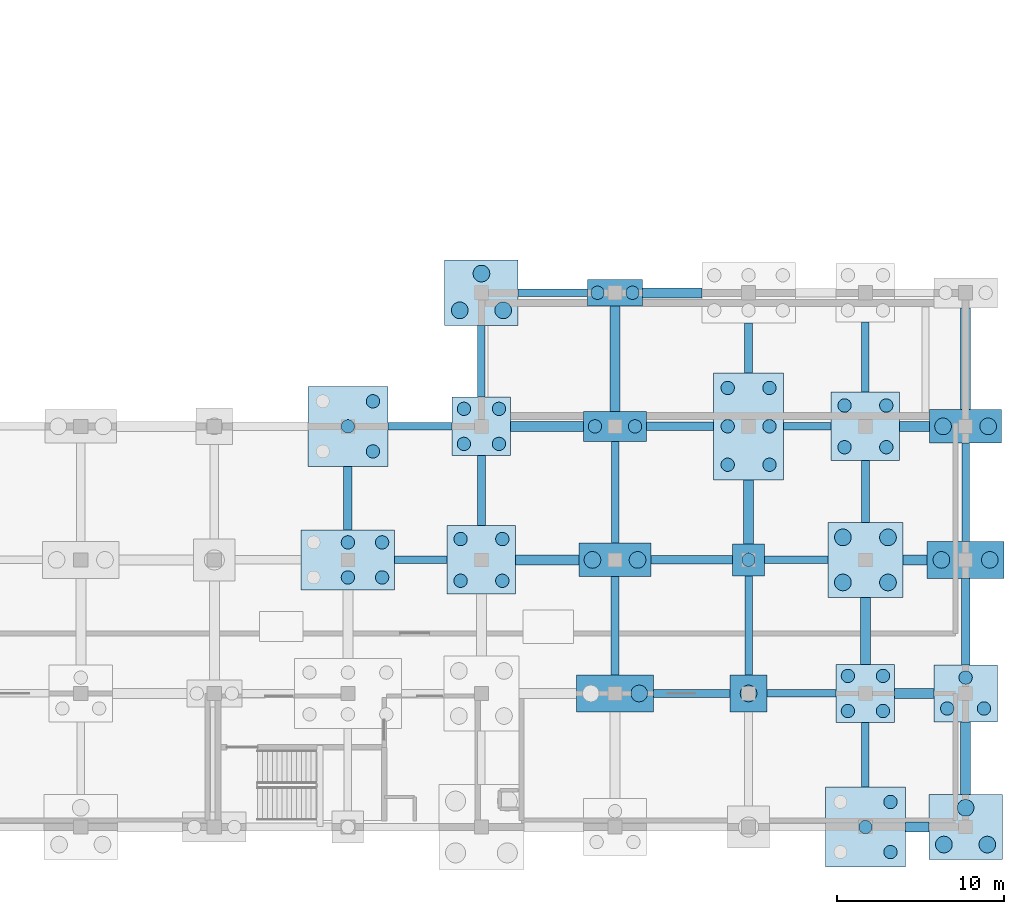
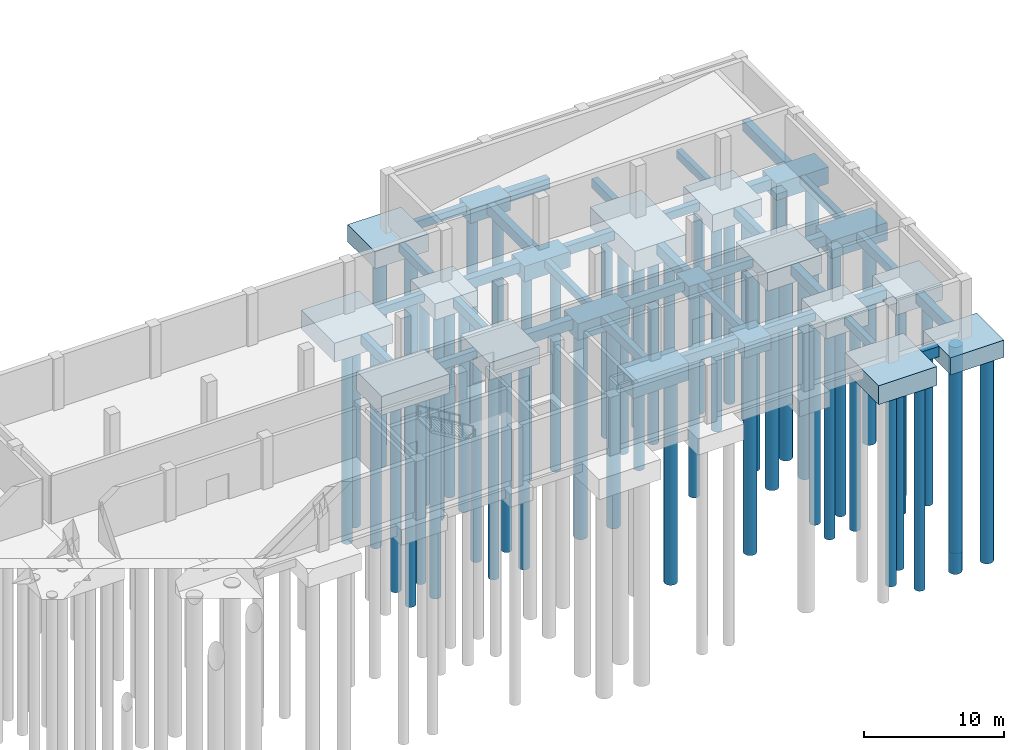
# One storey, part 9 of 26: 58 piles, 53 footings.
"""IFC4 building model written with IfcOpenShell, lengths in metres."""

from ifc_helpers import new_model, si_unit, direction, frame, origin, origin_2d, place, context, subcontext, project, spatial, rectangle, circle, extrude, material, layer, layer_set, material_profile, profile_set, type_object, element, save


model = new_model("IFC4")

# Units and contexts
model_context = context("Model", 3, precision=1e-05, world=origin(), true_north=direction((0.0, 1.0)))
body_context = subcontext(model_context, "Body", "Model", "MODEL_VIEW")
ifc_project = project(units=[si_unit("LENGTHUNIT", "METRE"), si_unit("AREAUNIT", "SQUARE_METRE"), si_unit("VOLUMEUNIT", "CUBIC_METRE"), si_unit("PLANEANGLEUNIT", "RADIAN"), si_unit("MASSUNIT", "GRAM", prefix="KILO")], contexts=[model_context])

# Site, building, storey
site_placement = place(None, origin())
site = spatial("IfcSite", under=ifc_project, at=site_placement, CompositionType="ELEMENT")
building_placement = place(site_placement, origin())
building = spatial("IfcBuilding", under=site, at=building_placement, Name="Qorikala Patio Media Centre", CompositionType="ELEMENT")
storey_placement = place(building_placement, frame((0.0, 0.0, -4.5)))
storey = spatial("IfcBuildingStorey", under=building, at=storey_placement, Name="B1", CompositionType="ELEMENT", Elevation=-4.5)

# Footings
ifc_material = material(Name="Concrete C30/37", Category="concrete")
ifc_material_profile_1 = material_profile(ifc_material, rectangle(XDim=0.449951171875, YDim=0.699951171875, at=origin_2d()), Name="RC 450x700")
ifc_profile_set_1 = profile_set([ifc_material_profile_1], Name="Concrete C30/37")
footing_type_1 = type_object("IfcFootingType", Name="GB-450X700", PredefinedType="FOOTING_BEAM", material=ifc_profile_set_1)
footing_1_placement = place(storey_placement, frame((155.10009765625, 11.0, -0.949951171875), z_axis=(1.0, 0.0, 0.0), x_axis=(0.0, 1.0, 0.0)))
element("IfcFooting", 1, at=footing_1_placement, inside=storey, type_object=footing_type_1, Name="Ground Tie Beam X-041", PredefinedType="FOOTING_BEAM", context=body_context, shape_type="SweptSolid", body=[
    extrude(rectangle(XDim=0.449951171875, YDim=0.699951171875, at=origin_2d()), origin(), (0.0, 0.0, 1.0), 4.14990234375),
])
footing_2_placement = place(storey_placement, frame((132.800048828125, 19.0, -0.949951171875), z_axis=(1.0, 0.0, 0.0), x_axis=(0.0, 1.0, 0.0)))
element("IfcFooting", 2, at=footing_2_placement, inside=storey, type_object=footing_type_1, Name="Ground Tie Beam X-059", PredefinedType="FOOTING_BEAM", context=body_context, shape_type="SweptSolid", body=[
    extrude(rectangle(XDim=0.449951171875, YDim=0.699951171875, at=origin_2d()), origin(), (0.0, 0.0, 1.0), 3.14990234375),
])
footing_3_placement = place(storey_placement, frame((154.949951171875, 19.0, -0.949951171875), z_axis=(1.0, 0.0, 0.0), x_axis=(0.0, 1.0, 0.0)))
element("IfcFooting", 3, at=footing_3_placement, inside=storey, type_object=footing_type_1, Name="Ground Tie Beam X-062", PredefinedType="FOOTING_BEAM", context=body_context, shape_type="SweptSolid", body=[
    extrude(rectangle(XDim=0.449951171875, YDim=0.699951171875, at=origin_2d()), origin(), (0.0, 0.0, 1.0), 3.800048828125),
])
footing_4_placement = place(storey_placement, frame((132.39990234375, 27.0, -0.949951171875), z_axis=(1.0, 0.0, 0.0), x_axis=(0.0, 1.0, 0.0)))
element("IfcFooting", 4, at=footing_4_placement, inside=storey, type_object=footing_type_1, Name="Ground Tie Beam X-080", PredefinedType="FOOTING_BEAM", context=body_context, shape_type="SweptSolid", body=[
    extrude(rectangle(XDim=0.449951171875, YDim=0.699951171875, at=origin_2d()), origin(), (0.0, 0.0, 1.0), 3.85009765625),
])
footing_5_placement = place(storey_placement, frame((156.10009765625, 27.0, -0.949951171875), z_axis=(1.0, 0.0, 0.0), x_axis=(0.0, 1.0, 0.0)))
element("IfcFooting", 5, at=footing_5_placement, inside=storey, type_object=footing_type_1, Name="Ground Tie Beam X-083", PredefinedType="FOOTING_BEAM", context=body_context, shape_type="SweptSolid", body=[
    extrude(rectangle(XDim=0.449951171875, YDim=0.699951171875, at=origin_2d()), origin(), (0.0, 0.0, 1.0), 2.849853515625),
])
footing_6_placement = place(storey_placement, frame((140.199951171875, 35.0, -0.949951171875), z_axis=(1.0, 0.0, 0.0), x_axis=(0.0, 1.0, 0.0)))
element("IfcFooting", 6, at=footing_6_placement, inside=storey, type_object=footing_type_1, Name="Ground Tie Beam X-092", PredefinedType="FOOTING_BEAM", context=body_context, shape_type="SweptSolid", body=[
    extrude(rectangle(XDim=0.449951171875, YDim=0.699951171875, at=origin_2d()), origin(), (0.0, 0.0, 1.0), 4.150146484375),
])
footing_7_placement = place(storey_placement, frame((138.0, 28.75, -0.949951171875), z_axis=(0.0, 1.0, 0.0), x_axis=(-1.0, 0.0, 0.0)))
element("IfcFooting", 7, at=footing_7_placement, inside=storey, type_object=footing_type_1, Name="Ground Tie Beam Y-314", PredefinedType="FOOTING_BEAM", context=body_context, shape_type="SweptSolid", body=[
    extrude(rectangle(XDim=0.449951171875, YDim=0.699951171875, at=origin_2d()), origin(), (0.0, 0.0, 1.0), 4.300048828125),
])
footing_8_placement = place(storey_placement, frame((146.0, 20.0, -0.949951171875), z_axis=(0.0, 1.0, 0.0), x_axis=(-1.0, 0.0, 0.0)))
element("IfcFooting", 8, at=footing_8_placement, inside=storey, type_object=footing_type_1, Name="Ground Tie Beam Y-317", PredefinedType="FOOTING_BEAM", context=body_context, shape_type="SweptSolid", body=[
    extrude(rectangle(XDim=0.449951171875, YDim=0.699951171875, at=origin_2d()), origin(), (0.0, 0.0, 1.0), 6.10009765625),
])
footing_9_placement = place(storey_placement, frame((154.0, 12.10009765625, -0.949951171875), z_axis=(0.0, 1.0, 0.0), x_axis=(-1.0, 0.0, 0.0)))
element("IfcFooting", 9, at=footing_9_placement, inside=storey, type_object=footing_type_1, Name="Ground Tie Beam Y-320", PredefinedType="FOOTING_BEAM", context=body_context, shape_type="SweptSolid", body=[
    extrude(rectangle(XDim=0.449951171875, YDim=0.699951171875, at=origin_2d()), origin(), (0.0, 0.0, 1.0), 5.949951171875),
])
footing_10_placement = place(storey_placement, frame((161.0, 5.39990234375, -0.949951171875), z_axis=(0.0, 1.0, 0.0), x_axis=(-1.0, 0.0, 0.0)))
element("IfcFooting", 10, at=footing_10_placement, inside=storey, type_object=footing_type_1, Name="Ground Tie Beam Y-323", PredefinedType="FOOTING_BEAM", context=body_context, shape_type="SweptSolid", body=[
    extrude(rectangle(XDim=0.449951171875, YDim=0.699951171875, at=origin_2d()), origin(), (0.0, 0.0, 1.0), 3.85009765625),
])
footing_11_placement = place(storey_placement, frame((161.0, 29.050048828125, -0.949951171875), z_axis=(0.0, 1.0, 0.0), x_axis=(-1.0, 0.0, 0.0)))
element("IfcFooting", 11, at=footing_11_placement, inside=storey, type_object=footing_type_1, Name="Ground Tie Beam Y-326", PredefinedType="FOOTING_BEAM", context=body_context, shape_type="SweptSolid", body=[
    extrude(rectangle(XDim=0.449951171875, YDim=0.699951171875, at=origin_2d()), origin(), (0.0, 0.0, 1.0), 4.199951171875),
])
footing_12_placement = place(storey_placement, frame((167.0, 20.10009765625, -0.949951171875), z_axis=(0.0, 1.0, 0.0), x_axis=(-1.0, 0.0, 0.0)))
element("IfcFooting", 12, at=footing_12_placement, inside=storey, type_object=footing_type_1, Name="Ground Tie Beam Y-329", PredefinedType="FOOTING_BEAM", context=body_context, shape_type="SweptSolid", body=[
    extrude(rectangle(XDim=0.449951171875, YDim=0.699951171875, at=origin_2d()), origin(), (0.0, 0.0, 1.0), 5.89990234375),
])
ifc_material_profile_2 = material_profile(ifc_material, rectangle(XDim=0.5, YDim=0.800048828125, at=origin_2d()), Name="RC 500x800")
ifc_profile_set_2 = profile_set([ifc_material_profile_2], Name="Concrete C30/37")
footing_type_2 = type_object("IfcFootingType", Name="GB-500X800", PredefinedType="FOOTING_BEAM", material=ifc_profile_set_2)
footing_13_placement = place(storey_placement, frame((148.300048828125, 11.0, -1.0), z_axis=(1.0, 0.0, 0.0), x_axis=(0.0, 1.0, 0.0)))
element("IfcFooting", 13, at=footing_13_placement, inside=storey, type_object=footing_type_2, Name="Ground Tie Beam X-040", PredefinedType="FOOTING_BEAM", context=body_context, shape_type="SweptSolid", body=[
    extrude(rectangle(XDim=0.5, YDim=0.800048828125, at=origin_2d()), origin(), (0.0, 0.0, 1.0), 4.599853515625),
])
footing_14_placement = place(storey_placement, frame((148.14990234375, 19.0, -1.0), z_axis=(1.0, 0.0, 0.0), x_axis=(0.0, 1.0, 0.0)))
element("IfcFooting", 14, at=footing_14_placement, inside=storey, type_object=footing_type_2, Name="Ground Tie Beam X-061", PredefinedType="FOOTING_BEAM", context=body_context, shape_type="SweptSolid", body=[
    extrude(rectangle(XDim=0.5, YDim=0.800048828125, at=origin_2d()), origin(), (0.0, 0.0, 1.0), 4.900146484375),
])
footing_15_placement = place(storey_placement, frame((147.89990234375, 27.0, -1.0), z_axis=(1.0, 0.0, 0.0), x_axis=(0.0, 1.0, 0.0)))
element("IfcFooting", 15, at=footing_15_placement, inside=storey, type_object=footing_type_2, Name="Ground Tie Beam X-082", PredefinedType="FOOTING_BEAM", context=body_context, shape_type="SweptSolid", body=[
    extrude(rectangle(XDim=0.5, YDim=0.800048828125, at=origin_2d()), origin(), (0.0, 0.0, 1.0), 4.0),
])
footing_16_placement = place(storey_placement, frame((130.0, 20.800048828125, -1.0), z_axis=(0.0, 1.0, 0.0), x_axis=(-1.0, 0.0, 0.0)))
element("IfcFooting", 16, at=footing_16_placement, inside=storey, type_object=footing_type_2, Name="Ground Tie Beam Y-310", PredefinedType="FOOTING_BEAM", context=body_context, shape_type="SweptSolid", body=[
    extrude(rectangle(XDim=0.5, YDim=0.800048828125, at=origin_2d()), origin(), (0.0, 0.0, 1.0), 3.800048828125),
])
footing_17_placement = place(storey_placement, frame((138.0, 21.050048828125, -1.0), z_axis=(0.0, 1.0, 0.0), x_axis=(-1.0, 0.0, 0.0)))
element("IfcFooting", 17, at=footing_17_placement, inside=storey, type_object=footing_type_2, Name="Ground Tie Beam Y-313", PredefinedType="FOOTING_BEAM", context=body_context, shape_type="SweptSolid", body=[
    extrude(rectangle(XDim=0.5, YDim=0.800048828125, at=origin_2d()), origin(), (0.0, 0.0, 1.0), 4.199951171875),
])
footing_18_placement = place(storey_placement, frame((146.0, 12.10009765625, -1.0), z_axis=(0.0, 1.0, 0.0), x_axis=(-1.0, 0.0, 0.0)))
element("IfcFooting", 18, at=footing_18_placement, inside=storey, type_object=footing_type_2, Name="Ground Tie Beam Y-316", PredefinedType="FOOTING_BEAM", context=body_context, shape_type="SweptSolid", body=[
    extrude(rectangle(XDim=0.5, YDim=0.800048828125, at=origin_2d()), origin(), (0.0, 0.0, 1.0), 5.89990234375),
])
footing_19_placement = place(storey_placement, frame((154.0, 30.199951171875, -1.0), z_axis=(0.0, 1.0, 0.0), x_axis=(-1.0, 0.0, 0.0)))
element("IfcFooting", 19, at=footing_19_placement, inside=storey, type_object=footing_type_2, Name="Ground Tie Beam Y-322", PredefinedType="FOOTING_BEAM", context=body_context, shape_type="SweptSolid", body=[
    extrude(rectangle(XDim=0.5, YDim=0.800048828125, at=origin_2d()), origin(), (0.0, 0.0, 1.0), 3.0),
])
footing_20_placement = place(storey_placement, frame((161.0, 21.25, -1.0), z_axis=(0.0, 1.0, 0.0), x_axis=(-1.0, 0.0, 0.0)))
element("IfcFooting", 20, at=footing_20_placement, inside=storey, type_object=footing_type_2, Name="Ground Tie Beam Y-325", PredefinedType="FOOTING_BEAM", context=body_context, shape_type="SweptSolid", body=[
    extrude(rectangle(XDim=0.5, YDim=0.800048828125, at=origin_2d()), origin(), (0.0, 0.0, 1.0), 3.699951171875),
])
footing_21_placement = place(storey_placement, frame((167.0, 12.699951171875, -1.0), z_axis=(0.0, 1.0, 0.0), x_axis=(-1.0, 0.0, 0.0)))
element("IfcFooting", 21, at=footing_21_placement, inside=storey, type_object=footing_type_2, Name="Ground Tie Beam Y-328", PredefinedType="FOOTING_BEAM", context=body_context, shape_type="SweptSolid", body=[
    extrude(rectangle(XDim=0.5, YDim=0.800048828125, at=origin_2d()), origin(), (0.0, 0.0, 1.0), 5.199951171875),
])
ifc_material_profile_3 = material_profile(ifc_material, rectangle(XDim=0.60009765625, YDim=0.89990234375, at=origin_2d()), Name="RC 600x900")
ifc_profile_set_3 = profile_set([ifc_material_profile_3], Name="Concrete C30/37")
footing_type_3 = type_object("IfcFootingType", Name="GB-600X900", PredefinedType="FOOTING_BEAM", material=ifc_profile_set_3)
footing_22_placement = place(storey_placement, frame((163.39990234375, 3.0, -1.050048828125), z_axis=(1.0, 0.0, 0.0), x_axis=(0.0, 1.0, 0.0)))
element("IfcFooting", 22, at=footing_22_placement, inside=storey, type_object=footing_type_3, Name="Ground Tie Beam X-021", PredefinedType="FOOTING_BEAM", context=body_context, shape_type="SweptSolid", body=[
    extrude(rectangle(XDim=0.60009765625, YDim=0.89990234375, at=origin_2d()), origin(), (0.0, 0.0, 1.0), 1.400146484375),
])
footing_23_placement = place(storey_placement, frame((162.75, 11.0, -1.050048828125), z_axis=(1.0, 0.0, 0.0), x_axis=(0.0, 1.0, 0.0)))
element("IfcFooting", 23, at=footing_23_placement, inside=storey, type_object=footing_type_3, Name="Ground Tie Beam X-042", PredefinedType="FOOTING_BEAM", context=body_context, shape_type="SweptSolid", body=[
    extrude(rectangle(XDim=0.60009765625, YDim=0.89990234375, at=origin_2d()), origin(), (0.0, 0.0, 1.0), 2.35009765625),
])
footing_24_placement = place(storey_placement, frame((140.050048828125, 19.0, -1.050048828125), z_axis=(1.0, 0.0, 0.0), x_axis=(0.0, 1.0, 0.0)))
element("IfcFooting", 24, at=footing_24_placement, inside=storey, type_object=footing_type_3, Name="Ground Tie Beam X-060", PredefinedType="FOOTING_BEAM", context=body_context, shape_type="SweptSolid", body=[
    extrude(rectangle(XDim=0.60009765625, YDim=0.89990234375, at=origin_2d()), origin(), (0.0, 0.0, 1.0), 3.800048828125),
])
footing_25_placement = place(storey_placement, frame((163.25, 19.0, -1.050048828125), z_axis=(1.0, 0.0, 0.0), x_axis=(0.0, 1.0, 0.0)))
element("IfcFooting", 25, at=footing_25_placement, inside=storey, type_object=footing_type_3, Name="Ground Tie Beam X-063", PredefinedType="FOOTING_BEAM", context=body_context, shape_type="SweptSolid", body=[
    extrude(rectangle(XDim=0.60009765625, YDim=0.89990234375, at=origin_2d()), origin(), (0.0, 0.0, 1.0), 1.449951171875),
])
footing_26_placement = place(storey_placement, frame((139.75, 27.0, -1.050048828125), z_axis=(1.0, 0.0, 0.0), x_axis=(0.0, 1.0, 0.0)))
element("IfcFooting", 26, at=footing_26_placement, inside=storey, type_object=footing_type_3, Name="Ground Tie Beam X-081", PredefinedType="FOOTING_BEAM", context=body_context, shape_type="SweptSolid", body=[
    extrude(rectangle(XDim=0.60009765625, YDim=0.89990234375, at=origin_2d()), origin(), (0.0, 0.0, 1.0), 4.35009765625),
])
footing_27_placement = place(storey_placement, frame((163.050048828125, 27.0, -1.050048828125), z_axis=(1.0, 0.0, 0.0), x_axis=(0.0, 1.0, 0.0)))
element("IfcFooting", 27, at=footing_27_placement, inside=storey, type_object=footing_type_3, Name="Ground Tie Beam X-084", PredefinedType="FOOTING_BEAM", context=body_context, shape_type="SweptSolid", body=[
    extrude(rectangle(XDim=0.60009765625, YDim=0.89990234375, at=origin_2d()), origin(), (0.0, 0.0, 1.0), 1.800048828125),
])
footing_28_placement = place(storey_placement, frame((147.64990234375, 35.0, -1.050048828125), z_axis=(1.0, 0.0, 0.0), x_axis=(0.0, 1.0, 0.0)))
element("IfcFooting", 28, at=footing_28_placement, inside=storey, type_object=footing_type_3, Name="Ground Tie Beam X-093", PredefinedType="FOOTING_BEAM", context=body_context, shape_type="SweptSolid", body=[
    extrude(rectangle(XDim=0.60009765625, YDim=0.89990234375, at=origin_2d()), origin(), (0.0, 0.0, 1.0), 3.550048828125),
])
footing_29_placement = place(storey_placement, frame((146.0, 27.89990234375, -1.050048828125), z_axis=(0.0, 1.0, 0.0), x_axis=(-1.0, 0.0, 0.0)))
element("IfcFooting", 29, at=footing_29_placement, inside=storey, type_object=footing_type_3, Name="Ground Tie Beam Y-318", PredefinedType="FOOTING_BEAM", context=body_context, shape_type="SweptSolid", body=[
    extrude(rectangle(XDim=0.60009765625, YDim=0.89990234375, at=origin_2d()), origin(), (0.0, 0.0, 1.0), 6.300048828125),
])
footing_30_placement = place(storey_placement, frame((154.0, 19.949951171875, -1.050048828125), z_axis=(0.0, 1.0, 0.0), x_axis=(-1.0, 0.0, 0.0)))
element("IfcFooting", 30, at=footing_30_placement, inside=storey, type_object=footing_type_3, Name="Ground Tie Beam Y-321", PredefinedType="FOOTING_BEAM", context=body_context, shape_type="SweptSolid", body=[
    extrude(rectangle(XDim=0.60009765625, YDim=0.89990234375, at=origin_2d()), origin(), (0.0, 0.0, 1.0), 3.85009765625),
])
footing_31_placement = place(storey_placement, frame((161.0, 12.75, -1.050048828125), z_axis=(0.0, 1.0, 0.0), x_axis=(-1.0, 0.0, 0.0)))
element("IfcFooting", 31, at=footing_31_placement, inside=storey, type_object=footing_type_3, Name="Ground Tie Beam Y-324", PredefinedType="FOOTING_BEAM", context=body_context, shape_type="SweptSolid", body=[
    extrude(rectangle(XDim=0.60009765625, YDim=0.89990234375, at=origin_2d()), origin(), (0.0, 0.0, 1.0), 4.0),
])
footing_32_placement = place(storey_placement, frame((167.0, 4.949951171875, -1.050048828125), z_axis=(0.0, 1.0, 0.0), x_axis=(-1.0, 0.0, 0.0)))
element("IfcFooting", 32, at=footing_32_placement, inside=storey, type_object=footing_type_3, Name="Ground Tie Beam Y-327", PredefinedType="FOOTING_BEAM", context=body_context, shape_type="SweptSolid", body=[
    extrude(rectangle(XDim=0.60009765625, YDim=0.89990234375, at=origin_2d()), origin(), (0.0, 0.0, 1.0), 4.35009765625),
])
footing_33_placement = place(storey_placement, frame((167.0, 28.0, -1.050048828125), z_axis=(0.0, 1.0, 0.0), x_axis=(-1.0, 0.0, 0.0)))
element("IfcFooting", 33, at=footing_33_placement, inside=storey, type_object=footing_type_3, Name="Ground Tie Beam Y-330", PredefinedType="FOOTING_BEAM", context=body_context, shape_type="SweptSolid", body=[
    extrude(rectangle(XDim=0.60009765625, YDim=0.89990234375, at=origin_2d()), origin(), (0.0, 0.0, 1.0), 6.10009765625),
])
ifc_layer_1 = layer(ifc_material, 1.14990234375)
ifc_layer_set_1 = layer_set([ifc_layer_1], Name="Concrete C30/37")
footing_type_4 = type_object("IfcFootingType", Name="PC-1A", PredefinedType="PILE_CAP", material=ifc_layer_set_1)
footing_34_placement = place(storey_placement, frame((154.0, 19.0, -1.75), z_axis=(0.0, 0.0, 1.0), x_axis=(1.0, 0.0, 0.0)))
element("IfcFooting", 34, at=footing_34_placement, inside=storey, type_object=footing_type_4, Name="Pile Cap PC-1A at (154.0,19.0)", PredefinedType="PILE_CAP", context=body_context, shape_type="SweptSolid", body=[
    extrude(rectangle(XDim=1.89990234375, YDim=1.89990234375, at=origin_2d()), origin(), (0.0, 0.0, 1.0), 1.14990234375),
])
ifc_layer_2 = layer(ifc_material, 1.25)
ifc_layer_set_2 = layer_set([ifc_layer_2], Name="Concrete C30/37")
footing_type_5 = type_object("IfcFootingType", Name="PC-1B", PredefinedType="PILE_CAP", material=ifc_layer_set_2)
footing_35_placement = place(storey_placement, frame((154.0, 11.0, -1.85009765625), z_axis=(0.0, 0.0, 1.0), x_axis=(1.0, 0.0, 0.0)))
element("IfcFooting", 35, at=footing_35_placement, inside=storey, type_object=footing_type_5, Name="Pile Cap PC-1B at (154.0,11.0)", PredefinedType="PILE_CAP", context=body_context, shape_type="SweptSolid", body=[
    extrude(rectangle(XDim=2.199951171875, YDim=2.199951171875, at=origin_2d()), origin(), (0.0, 0.0, 1.0), 1.25),
])
ifc_layer_3 = layer(ifc_material, 1.25)
ifc_layer_set_3 = layer_set([ifc_layer_3], Name="Concrete C30/37")
footing_type_6 = type_object("IfcFootingType", Name="PC-2A", PredefinedType="PILE_CAP", material=ifc_layer_set_3)
footing_36_placement = place(storey_placement, frame((146.0, 35.0, -1.85009765625), z_axis=(0.0, 0.0, 1.0), x_axis=(1.0, 0.0, 0.0)))
element("IfcFooting", 36, at=footing_36_placement, inside=storey, type_object=footing_type_6, Name="Pile Cap PC-2A at (146.0,35.0)", PredefinedType="PILE_CAP", context=body_context, shape_type="SweptSolid", body=[
    extrude(rectangle(XDim=3.300048828125, YDim=1.60009765625, at=origin_2d()), origin(), (0.0, 0.0, 1.0), 1.25),
])
ifc_layer_4 = layer(ifc_material, 1.35009765625)
ifc_layer_set_4 = layer_set([ifc_layer_4], Name="Concrete C30/37")
footing_type_7 = type_object("IfcFootingType", Name="PC-2B", PredefinedType="PILE_CAP", material=ifc_layer_set_4)
footing_37_placement = place(storey_placement, frame((146.0, 27.0, -1.949951171875), z_axis=(0.0, 0.0, 1.0), x_axis=(1.0, 0.0, 0.0)))
element("IfcFooting", 37, at=footing_37_placement, inside=storey, type_object=footing_type_7, Name="Pile Cap PC-2B at (146.0,27.0)", PredefinedType="PILE_CAP", context=body_context, shape_type="SweptSolid", body=[
    extrude(rectangle(XDim=3.800048828125, YDim=1.800048828125, at=origin_2d()), origin(), (0.0, 0.0, 1.0), 1.35009765625),
])
ifc_layer_5 = layer(ifc_material, 1.449951171875)
ifc_layer_set_5 = layer_set([ifc_layer_5], Name="Concrete C30/37")
footing_type_8 = type_object("IfcFootingType", Name="PC-2C", PredefinedType="PILE_CAP", material=ifc_layer_set_5)
for number, where, z_axis, x_axis, name in (
    (38, (146.0, 19.0, -2.0498046875), (0.0, 0.0, 1.0), (1.0, 0.0, 0.0), "Pile Cap PC-2C at (146.0,19.0)"),
    (39, (167.0, 27.0, -2.0498046875), (0.0, 0.0, 1.0), (1.0, 0.0, 0.0), "Pile Cap PC-2C at (167.0,27.0)"),
):
    element("IfcFooting", number, at=place(storey_placement, frame(where, z_axis=z_axis, x_axis=x_axis)), inside=storey, type_object=footing_type_8, Name=name, PredefinedType="PILE_CAP", context=body_context, shape_type="SweptSolid", body=[
        extrude(rectangle(XDim=4.300048828125, YDim=2.0, at=origin_2d()), origin(), (0.0, 0.0, 1.0), 1.449951171875),
    ])
ifc_layer_6 = layer(ifc_material, 1.550048828125)
ifc_layer_set_6 = layer_set([ifc_layer_6], Name="Concrete C30/37")
footing_type_9 = type_object("IfcFootingType", Name="PC-2D", PredefinedType="PILE_CAP", material=ifc_layer_set_6)
for number, where, z_axis, x_axis, name in (
    (40, (146.0, 11.0, -2.14990234375), (0.0, 0.0, 1.0), (1.0, 0.0, 0.0), "Pile Cap PC-2D at (146.0,11.0)"),
    (41, (167.0, 19.0, -2.14990234375), (0.0, 0.0, 1.0), (1.0, 0.0, 0.0), "Pile Cap PC-2D at (167.0,19.0)"),
):
    element("IfcFooting", number, at=place(storey_placement, frame(where, z_axis=z_axis, x_axis=x_axis)), inside=storey, type_object=footing_type_9, Name=name, PredefinedType="PILE_CAP", context=body_context, shape_type="SweptSolid", body=[
        extrude(rectangle(XDim=4.60009765625, YDim=2.199951171875, at=origin_2d()), origin(), (0.0, 0.0, 1.0), 1.550048828125),
    ])
ifc_layer_7 = layer(ifc_material, 1.39990234375)
ifc_layer_set_7 = layer_set([ifc_layer_7], Name="Concrete C30/37")
footing_type_10 = type_object("IfcFootingType", Name="PC-3A", PredefinedType="PILE_CAP", material=ifc_layer_set_7)
footing_38_placement = place(storey_placement, frame((167.0, 11.0, -2.0), z_axis=(0.0, 0.0, 1.0), x_axis=(1.0, 0.0, 0.0)))
element("IfcFooting", 42, at=footing_38_placement, inside=storey, type_object=footing_type_10, Name="Pile Cap PC-3A at (167.0,11.0)", PredefinedType="PILE_CAP", context=body_context, shape_type="SweptSolid", body=[
    extrude(rectangle(XDim=3.800048828125, YDim=3.39990234375, at=origin_2d()), origin(), (0.0, 0.0, 1.0), 1.39990234375),
])
ifc_layer_8 = layer(ifc_material, 1.5)
ifc_layer_set_8 = layer_set([ifc_layer_8], Name="Concrete C30/37")
footing_type_11 = type_object("IfcFootingType", Name="PC-3B", PredefinedType="PILE_CAP", material=ifc_layer_set_8)
for number, where, z_axis, x_axis, name in (
    (43, (138.0, 35.0, -2.10009765625), (0.0, 0.0, 1.0), (1.0, 0.0, 0.0), "Pile Cap PC-3B at (138.0,35.0)"),
    (44, (167.0, 3.0, -2.10009765625), (0.0, 0.0, 1.0), (1.0, 0.0, 0.0), "Pile Cap PC-3B at (167.0,3.0)"),
):
    element("IfcFooting", number, at=place(storey_placement, frame(where, z_axis=z_axis, x_axis=x_axis)), inside=storey, type_object=footing_type_11, Name=name, PredefinedType="PILE_CAP", context=body_context, shape_type="SweptSolid", body=[
        extrude(rectangle(XDim=4.39990234375, YDim=3.89990234375, at=origin_2d()), origin(), (0.0, 0.0, 1.0), 1.5),
    ])
ifc_layer_9 = layer(ifc_material, 1.39990234375)
ifc_layer_set_9 = layer_set([ifc_layer_9], Name="Concrete C30/37")
footing_type_12 = type_object("IfcFootingType", Name="PC-4A", PredefinedType="PILE_CAP", material=ifc_layer_set_9)
for number, where, z_axis, x_axis, name in (
    (45, (138.0, 27.0, -2.0), (0.0, 0.0, 1.0), (1.0, 0.0, 0.0), "Pile Cap PC-4A at (138.0,27.0)"),
    (46, (161.0, 11.0, -2.0), (0.0, 0.0, 1.0), (1.0, 0.0, 0.0), "Pile Cap PC-4A at (161.0,11.0)"),
):
    element("IfcFooting", number, at=place(storey_placement, frame(where, z_axis=z_axis, x_axis=x_axis)), inside=storey, type_object=footing_type_12, Name=name, PredefinedType="PILE_CAP", context=body_context, shape_type="SweptSolid", body=[
        extrude(rectangle(XDim=3.5, YDim=3.5, at=origin_2d()), origin(), (0.0, 0.0, 1.0), 1.39990234375),
    ])
ifc_layer_10 = layer(ifc_material, 1.5)
ifc_layer_set_10 = layer_set([ifc_layer_10], Name="Concrete C30/37")
footing_type_13 = type_object("IfcFootingType", Name="PC-4B", PredefinedType="PILE_CAP", material=ifc_layer_set_10)
for number, where, z_axis, x_axis, name in (
    (47, (138.0, 19.0, -2.10009765625), (0.0, 0.0, 1.0), (1.0, 0.0, 0.0), "Pile Cap PC-4B at (138.0,19.0)"),
    (48, (161.0, 27.0, -2.10009765625), (0.0, 0.0, 1.0), (1.0, 0.0, 0.0), "Pile Cap PC-4B at (161.0,27.0)"),
):
    element("IfcFooting", number, at=place(storey_placement, frame(where, z_axis=z_axis, x_axis=x_axis)), inside=storey, type_object=footing_type_13, Name=name, PredefinedType="PILE_CAP", context=body_context, shape_type="SweptSolid", body=[
        extrude(rectangle(XDim=4.10009765625, YDim=4.10009765625, at=origin_2d()), origin(), (0.0, 0.0, 1.0), 1.5),
    ])
ifc_layer_11 = layer(ifc_material, 1.60009765625)
ifc_layer_set_11 = layer_set([ifc_layer_11], Name="Concrete C30/37")
footing_type_14 = type_object("IfcFootingType", Name="PC-4C", PredefinedType="PILE_CAP", material=ifc_layer_set_11)
footing_39_placement = place(storey_placement, frame((161.0, 19.0, -2.199951171875), z_axis=(0.0, 0.0, 1.0), x_axis=(1.0, 0.0, 0.0)))
element("IfcFooting", 49, at=footing_39_placement, inside=storey, type_object=footing_type_14, Name="Pile Cap PC-4C at (161.0,19.0)", PredefinedType="PILE_CAP", context=body_context, shape_type="SweptSolid", body=[
    extrude(rectangle(XDim=4.5, YDim=4.5, at=origin_2d()), origin(), (0.0, 0.0, 1.0), 1.60009765625),
])
ifc_layer_12 = layer(ifc_material, 1.64990234375)
ifc_layer_set_12 = layer_set([ifc_layer_12], Name="Concrete C30/37")
footing_type_15 = type_object("IfcFootingType", Name="PC-5A", PredefinedType="PILE_CAP", material=ifc_layer_set_12)
for number, where, z_axis, x_axis, name in (
    (50, (130.0, 27.0, -2.25), (0.0, 0.0, 1.0), (1.0, 0.0, 0.0), "Pile Cap PC-5A at (130.0,27.0)"),
    (51, (161.0, 3.0, -2.25), (0.0, 0.0, 1.0), (1.0, 0.0, 0.0), "Pile Cap PC-5A at (161.0,3.0)"),
):
    element("IfcFooting", number, at=place(storey_placement, frame(where, z_axis=z_axis, x_axis=x_axis)), inside=storey, type_object=footing_type_15, Name=name, PredefinedType="PILE_CAP", context=body_context, shape_type="SweptSolid", body=[
        extrude(rectangle(XDim=4.800048828125, YDim=4.800048828125, at=origin_2d()), origin(), (0.0, 0.0, 1.0), 1.64990234375),
    ])
ifc_layer_13 = layer(ifc_material, 1.64990234375)
ifc_layer_set_13 = layer_set([ifc_layer_13], Name="Concrete C30/37")
footing_type_16 = type_object("IfcFootingType", Name="PC-6A", PredefinedType="PILE_CAP", material=ifc_layer_set_13)
footing_40_placement = place(storey_placement, frame((130.0, 19.0, -2.25), z_axis=(0.0, 0.0, 1.0), x_axis=(1.0, 0.0, 0.0)))
element("IfcFooting", 52, at=footing_40_placement, inside=storey, type_object=footing_type_16, Name="Pile Cap PC-6A at (130.0,19.0)", PredefinedType="PILE_CAP", context=body_context, shape_type="SweptSolid", body=[
    extrude(rectangle(XDim=5.60009765625, YDim=3.60009765625, at=origin_2d()), origin(), (0.0, 0.0, 1.0), 1.64990234375),
])
ifc_layer_14 = layer(ifc_material, 1.800048828125)
ifc_layer_set_14 = layer_set([ifc_layer_14], Name="Concrete C30/37")
footing_type_17 = type_object("IfcFootingType", Name="PC-6B", PredefinedType="PILE_CAP", material=ifc_layer_set_14)
footing_41_placement = place(storey_placement, frame((154.0, 27.0, -2.39990234375), z_axis=(0.0, 0.0, 1.0), x_axis=(0.0, 1.0, 0.0)))
element("IfcFooting", 53, at=footing_41_placement, inside=storey, type_object=footing_type_17, Name="Pile Cap PC-6B at (154.0,27.0)", PredefinedType="PILE_CAP", context=body_context, shape_type="SweptSolid", body=[
    extrude(rectangle(XDim=6.39990234375, YDim=4.199951171875, at=origin_2d()), origin(), (0.0, 0.0, 1.0), 1.800048828125),
])

# Piles
ifc_material_profile_4 = material_profile(ifc_material, circle(Radius=0.5, at=origin_2d()), Name="BORED PILE 1000")
ifc_profile_set_4 = profile_set([ifc_material_profile_4], Name="Concrete C30/37")
pile_type_1 = type_object("IfcPileType", Name="PILE-1000", PredefinedType="BORED", material=ifc_profile_set_4)
for number, where, z_axis, x_axis, name in (
    (54, (136.699951171875, 33.949951171875, -2.0), (0.0, 0.0, -1.0), (1.0, 0.0, 0.0), "Bored Pile 0533"),
    (55, (139.300048828125, 33.949951171875, -2.0), (0.0, 0.0, -1.0), (1.0, 0.0, 0.0), "Bored Pile 0534"),
    (56, (138.0, 36.14990234375, -2.0), (0.0, 0.0, -1.0), (1.0, 0.0, 0.0), "Bored Pile 0535"),
    (57, (147.449951171875, 11.0, -2.050048828125), (0.0, 0.0, -1.0), (1.0, 0.0, 0.0), "Bored Pile 0540"),
    (58, (144.64990234375, 19.0, -1.949951171875), (0.0, 0.0, -1.0), (1.0, 0.0, 0.0), "Bored Pile 0541"),
    (59, (147.35009765625, 19.0, -1.949951171875), (0.0, 0.0, -1.0), (1.0, 0.0, 0.0), "Bored Pile 0542"),
    (60, (154.0, 11.0, -1.75), (0.0, 0.0, -1.0), (1.0, 0.0, 0.0), "Bored Pile 0548"),
    (61, (159.64990234375, 17.64990234375, -2.10009765625), (0.0, 0.0, -1.0), (1.0, 0.0, 0.0), "Bored Pile 0571"),
    (62, (162.35009765625, 17.64990234375, -2.10009765625), (0.0, 0.0, -1.0), (1.0, 0.0, 0.0), "Bored Pile 0572"),
    (63, (159.64990234375, 20.35009765625, -2.10009765625), (0.0, 0.0, -1.0), (1.0, 0.0, 0.0), "Bored Pile 0573"),
    (64, (162.35009765625, 20.35009765625, -2.10009765625), (0.0, 0.0, -1.0), (1.0, 0.0, 0.0), "Bored Pile 0574"),
    (65, (165.699951171875, 1.949951171875, -2.0), (0.0, 0.0, -1.0), (1.0, 0.0, 0.0), "Bored Pile 0583"),
    (66, (168.300048828125, 1.949951171875, -2.0), (0.0, 0.0, -1.0), (1.0, 0.0, 0.0), "Bored Pile 0584"),
    (67, (167.0, 4.14990234375, -2.0), (0.0, 0.0, -1.0), (1.0, 0.0, 0.0), "Bored Pile 0585"),
    (68, (165.550048828125, 19.0, -2.050048828125), (0.0, 0.0, -1.0), (1.0, 0.0, 0.0), "Bored Pile 0589"),
    (69, (168.449951171875, 19.0, -2.050048828125), (0.0, 0.0, -1.0), (1.0, 0.0, 0.0), "Bored Pile 0590"),
    (70, (165.64990234375, 27.0, -1.949951171875), (0.0, 0.0, -1.0), (1.0, 0.0, 0.0), "Bored Pile 0591"),
    (71, (168.35009765625, 27.0, -1.949951171875), (0.0, 0.0, -1.0), (1.0, 0.0, 0.0), "Bored Pile 0592"),
):
    element("IfcPile", number, at=place(storey_placement, frame(where, z_axis=z_axis, x_axis=x_axis)), inside=storey, type_object=pile_type_1, Name=name, PredefinedType="BORED", context=body_context, shape_type="SweptSolid", body=[
        extrude(circle(Radius=0.5, at=origin_2d()), origin(), (0.0, 0.0, 1.0), 18.0),
    ])
ifc_material_profile_5 = material_profile(ifc_material, circle(Radius=0.39990234375, at=origin_2d()), Name="BORED PILE 800")
ifc_profile_set_5 = profile_set([ifc_material_profile_5], Name="Concrete C30/37")
pile_type_2 = type_object("IfcPileType", Name="PILE-800", PredefinedType="BORED", material=ifc_profile_set_5)
for number, where, z_axis, x_axis, name in (
    (72, (130.0, 17.949951171875, -2.14990234375), (0.0, 0.0, -1.0), (1.0, 0.0, 0.0), "Bored Pile 0507"),
    (73, (132.050048828125, 17.949951171875, -2.14990234375), (0.0, 0.0, -1.0), (1.0, 0.0, 0.0), "Bored Pile 0508"),
    (74, (130.0, 20.050048828125, -2.14990234375), (0.0, 0.0, -1.0), (1.0, 0.0, 0.0), "Bored Pile 0510"),
    (75, (132.050048828125, 20.050048828125, -2.14990234375), (0.0, 0.0, -1.0), (1.0, 0.0, 0.0), "Bored Pile 0511"),
    (76, (131.5, 25.5, -2.14990234375), (0.0, 0.0, -1.0), (1.0, 0.0, 0.0), "Bored Pile 0513"),
    (77, (130.0, 27.0, -2.14990234375), (0.0, 0.0, -1.0), (1.0, 0.0, 0.0), "Bored Pile 0514"),
    (78, (131.5, 28.5, -2.14990234375), (0.0, 0.0, -1.0), (1.0, 0.0, 0.0), "Bored Pile 0516"),
    (79, (136.75, 17.75, -2.0), (0.0, 0.0, -1.0), (1.0, 0.0, 0.0), "Bored Pile 0525"),
    (80, (139.25, 17.75, -2.0), (0.0, 0.0, -1.0), (1.0, 0.0, 0.0), "Bored Pile 0526"),
    (81, (136.75, 20.25, -2.0), (0.0, 0.0, -1.0), (1.0, 0.0, 0.0), "Bored Pile 0527"),
    (82, (139.25, 20.25, -2.0), (0.0, 0.0, -1.0), (1.0, 0.0, 0.0), "Bored Pile 0528"),
    (83, (136.949951171875, 25.949951171875, -1.89990234375), (0.0, 0.0, -1.0), (1.0, 0.0, 0.0), "Bored Pile 0529"),
    (84, (139.050048828125, 25.949951171875, -1.89990234375), (0.0, 0.0, -1.0), (1.0, 0.0, 0.0), "Bored Pile 0530"),
    (85, (136.949951171875, 28.050048828125, -1.89990234375), (0.0, 0.0, -1.0), (1.0, 0.0, 0.0), "Bored Pile 0531"),
    (86, (139.050048828125, 28.050048828125, -1.89990234375), (0.0, 0.0, -1.0), (1.0, 0.0, 0.0), "Bored Pile 0532"),
    (87, (144.800048828125, 27.0, -1.85009765625), (0.0, 0.0, -1.0), (1.0, 0.0, 0.0), "Bored Pile 0543"),
    (88, (147.199951171875, 27.0, -1.85009765625), (0.0, 0.0, -1.0), (1.0, 0.0, 0.0), "Bored Pile 0544"),
    (89, (144.949951171875, 35.0, -1.75), (0.0, 0.0, -1.0), (1.0, 0.0, 0.0), "Bored Pile 0545"),
    (90, (147.050048828125, 35.0, -1.75), (0.0, 0.0, -1.0), (1.0, 0.0, 0.0), "Bored Pile 0546"),
    (91, (154.0, 19.0, -1.64990234375), (0.0, 0.0, -1.0), (1.0, 0.0, 0.0), "Bored Pile 0549"),
    (92, (155.25, 24.699951171875, -2.300048828125), (0.0, 0.0, -1.0), (1.0, 0.0, 0.0), "Bored Pile 0550"),
    (93, (155.25, 27.0, -2.300048828125), (0.0, 0.0, -1.0), (1.0, 0.0, 0.0), "Bored Pile 0551"),
    (94, (155.25, 29.300048828125, -2.300048828125), (0.0, 0.0, -1.0), (1.0, 0.0, 0.0), "Bored Pile 0552"),
    (95, (152.75, 24.699951171875, -2.300048828125), (0.0, 0.0, -1.0), (1.0, 0.0, 0.0), "Bored Pile 0553"),
    (96, (152.75, 27.0, -2.300048828125), (0.0, 0.0, -1.0), (1.0, 0.0, 0.0), "Bored Pile 0554"),
    (97, (152.75, 29.300048828125, -2.300048828125), (0.0, 0.0, -1.0), (1.0, 0.0, 0.0), "Bored Pile 0555"),
    (98, (162.5, 1.5, -2.14990234375), (0.0, 0.0, -1.0), (1.0, 0.0, 0.0), "Bored Pile 0563"),
    (99, (161.0, 3.0, -2.14990234375), (0.0, 0.0, -1.0), (1.0, 0.0, 0.0), "Bored Pile 0564"),
    (100, (162.5, 4.5, -2.14990234375), (0.0, 0.0, -1.0), (1.0, 0.0, 0.0), "Bored Pile 0566"),
    (101, (159.949951171875, 9.949951171875, -1.89990234375), (0.0, 0.0, -1.0), (1.0, 0.0, 0.0), "Bored Pile 0567"),
    (102, (162.050048828125, 9.949951171875, -1.89990234375), (0.0, 0.0, -1.0), (1.0, 0.0, 0.0), "Bored Pile 0568"),
    (103, (159.949951171875, 12.050048828125, -1.89990234375), (0.0, 0.0, -1.0), (1.0, 0.0, 0.0), "Bored Pile 0569"),
    (104, (162.050048828125, 12.050048828125, -1.89990234375), (0.0, 0.0, -1.0), (1.0, 0.0, 0.0), "Bored Pile 0570"),
    (105, (159.75, 25.75, -2.0), (0.0, 0.0, -1.0), (1.0, 0.0, 0.0), "Bored Pile 0575"),
    (106, (162.25, 25.75, -2.0), (0.0, 0.0, -1.0), (1.0, 0.0, 0.0), "Bored Pile 0576"),
    (107, (159.75, 28.25, -2.0), (0.0, 0.0, -1.0), (1.0, 0.0, 0.0), "Bored Pile 0577"),
    (108, (162.25, 28.25, -2.0), (0.0, 0.0, -1.0), (1.0, 0.0, 0.0), "Bored Pile 0578"),
    (109, (165.89990234375, 10.10009765625, -1.89990234375), (0.0, 0.0, -1.0), (1.0, 0.0, 0.0), "Bored Pile 0586"),
    (110, (168.10009765625, 10.10009765625, -1.89990234375), (0.0, 0.0, -1.0), (1.0, 0.0, 0.0), "Bored Pile 0587"),
    (111, (167.0, 11.949951171875, -1.89990234375), (0.0, 0.0, -1.0), (1.0, 0.0, 0.0), "Bored Pile 0588"),
):
    element("IfcPile", number, at=place(storey_placement, frame(where, z_axis=z_axis, x_axis=x_axis)), inside=storey, type_object=pile_type_2, Name=name, PredefinedType="BORED", context=body_context, shape_type="SweptSolid", body=[
        extrude(circle(Radius=0.39990234375, at=origin_2d()), origin(), (0.0, 0.0, 1.0), 18.0),
    ])

save(model, "model.ifc")
